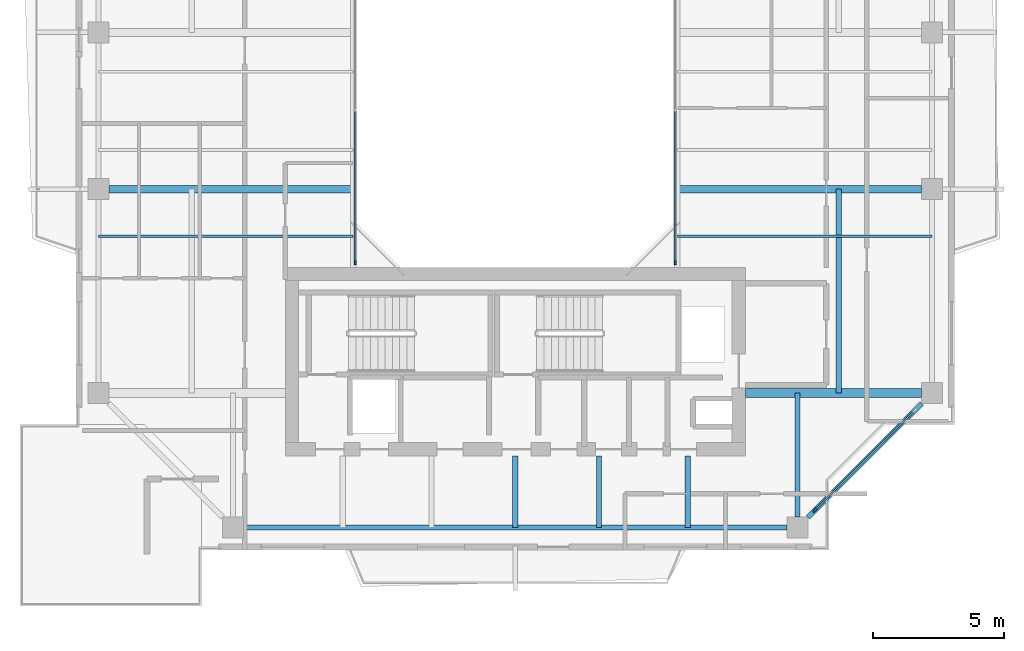
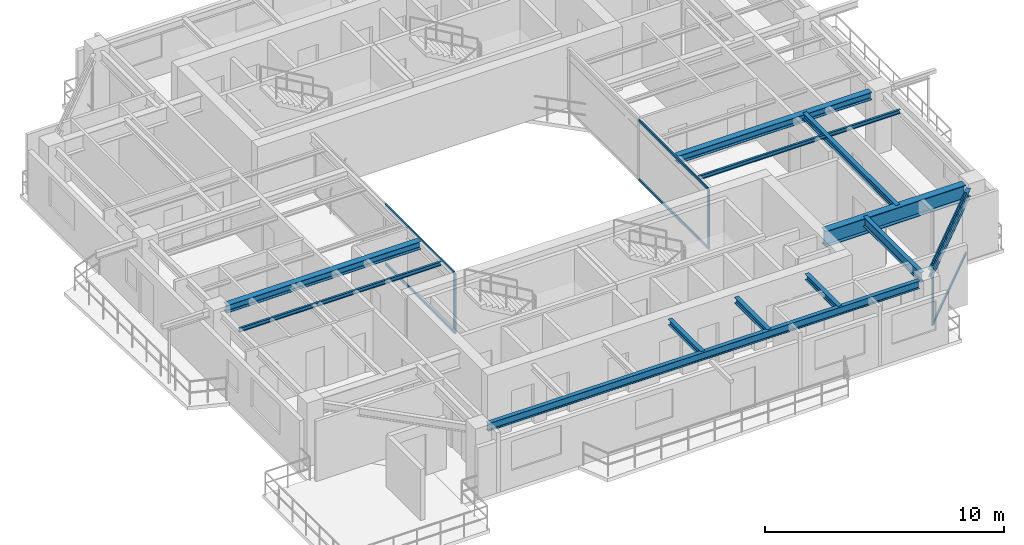
# One storey, part 3 of 15: 12 beams, 9 members, 3 elements without a shape of their own.
"""IFC4 building model written with IfcOpenShell, lengths in metres."""

from ifc_helpers import new_model, si_unit, direction, frame, origin, origin_2d, place, context, subcontext, project, spatial, rectangle, i_section, extrude, source, transform, mapped, material, layer, layer_set, material_profile, profile_set, type_object, element, aggregate, save


model = new_model("IFC4")

# Units and contexts
model_context = context("Model", 3, precision=1e-05, world=origin(), true_north=direction((0.0, 1.0)))
body_context = subcontext(model_context, "Body", "Model", "MODEL_VIEW")
ifc_project = project(units=[si_unit("LENGTHUNIT", "METRE"), si_unit("AREAUNIT", "SQUARE_METRE"), si_unit("VOLUMEUNIT", "CUBIC_METRE"), si_unit("PLANEANGLEUNIT", "RADIAN"), si_unit("MASSUNIT", "GRAM", prefix="KILO"), si_unit("THERMODYNAMICTEMPERATUREUNIT", "KELVIN"), si_unit("POWERUNIT", "WATT")], contexts=[model_context])

# Site, building, storey
site_placement = place(None, origin())
site = spatial("IfcSite", under=ifc_project, at=site_placement, CompositionType="ELEMENT")
building_placement = place(site_placement, origin())
building = spatial("IfcBuilding", under=site, at=building_placement, Name="Qiaomeng Ring Towers", CompositionType="ELEMENT")
storey_placement = place(building_placement, frame((0.0, 0.0, 193.75)))
storey = spatial("IfcBuildingStorey", under=building, at=storey_placement, Name="L56", CompositionType="ELEMENT", Elevation=193.75)

# Beams
ifc_material_1 = material(Name="Steel Q355B", Category="steel")
ifc_material_profile_1 = material_profile(ifc_material_1, i_section(OverallWidth=0.198974609375, OverallDepth=0.39599609375, WebThickness=0.007080078125, FlangeThickness=0.010986328125, FilletRadius=0.01611328125, at=origin_2d()), Name="HN 396x199x7x11")
ifc_profile_set_1 = profile_set([ifc_material_profile_1], Name="Steel Q355B")
beam_type_1 = type_object("IfcBeamType", Name="STR-BM-HN396", PredefinedType="SPANDREL", material=ifc_profile_set_1)
shared_shape_1 = source(origin(), body_context, "Body", "SweptSolid", [
    extrude(i_section(OverallWidth=0.198974609375, OverallDepth=0.39599609375, WebThickness=0.007080078125, FlangeThickness=0.010986328125, FilletRadius=0.01611328125, at=origin_2d()), origin(), (0.0, 0.0, 1.0), 20.8017578125),
])
beam_1_placement = place(storey_placement, frame((8.59912109375, 7.050048828125, 2.8720703125), z_axis=(1.0, 0.0, 0.0), x_axis=(0.0, 1.0, 0.0)))
element("IfcBeam", 1, at=beam_1_placement, inside=storey, type_object=beam_type_1, Name="L56 beam STR-SP-L56-T1-S1-S2", PredefinedType="SPANDREL", context=body_context, shape_type="MappedRepresentation", body=[
    mapped(shared_shape_1, transform((0.0, 0.0, 0.0), x_axis=(1.0, 0.0, 0.0), y_axis=(0.0, 1.0, 0.0), z_axis=(0.0, 0.0, 1.0), scale=1.0)),
])
shared_shape_2 = source(origin(), body_context, "Body", "SweptSolid", [
    extrude(i_section(OverallWidth=0.198974609375, OverallDepth=0.39599609375, WebThickness=0.007080078125, FlangeThickness=0.010986328125, FilletRadius=0.01611328125, at=origin_2d()), origin(), (0.0, 0.0, 1.0), 6.154052734375),
])
beam_2_placement = place(storey_placement, frame((30.19921875, 7.44921875, 2.8720703125), z_axis=(0.707106781187, 0.707106781187, 0.0), x_axis=(-0.707106781187, 0.707106781187, 0.0)))
element("IfcBeam", 2, at=beam_2_placement, inside=storey, type_object=beam_type_1, Name="L56 beam STR-SP-L56-T1-S2-E1", PredefinedType="SPANDREL", context=body_context, shape_type="MappedRepresentation", body=[
    mapped(shared_shape_2, transform((0.0, 0.0, 0.0), x_axis=(1.0, 0.0, 0.0), y_axis=(0.0, 1.0, 0.0), z_axis=(0.0, 0.0, 1.0), scale=1.0)),
])
ifc_material_2 = material(Name="Steel Q390GJC", Category="steel")
ifc_material_profile_2 = material_profile(ifc_material_2, i_section(OverallWidth=0.35009765625, OverallDepth=0.800048828125, WebThickness=0.01611328125, FlangeThickness=0.028076171875, at=origin_2d()), Name="WH 800x350x16x28")
ifc_profile_set_2 = profile_set([ifc_material_profile_2], Name="Steel Q390GJC")
beam_type_2 = type_object("IfcBeamType", Name="STR-BM-WH800", PredefinedType="BEAM", material=ifc_profile_set_2)
shared_shape_3 = source(origin(), body_context, "Body", "SweptSolid", [
    extrude(i_section(OverallWidth=0.35009765625, OverallDepth=0.800048828125, WebThickness=0.01611328125, FlangeThickness=0.028076171875, at=origin_2d()), origin(), (0.0, 0.0, 1.0), 6.7509765625),
])
beam_3_placement = place(storey_placement, frame((27.800048828125, 12.199951171875, 2.669921875), z_axis=(1.0, 0.0, 0.0), x_axis=(0.0, 1.0, 0.0)))
element("IfcBeam", 3, at=beam_3_placement, inside=storey, type_object=beam_type_2, Name="L56 beam STR-BM-L56-T1-RAD-E1", PredefinedType="BEAM", context=body_context, shape_type="MappedRepresentation", body=[
    mapped(shared_shape_3, transform((0.0, 0.0, 0.0), x_axis=(1.0, 0.0, 0.0), y_axis=(0.0, 1.0, 0.0), z_axis=(0.0, 0.0, 1.0), scale=1.0)),
])
ifc_material_profile_3 = material_profile(ifc_material_1, i_section(OverallWidth=0.199951171875, OverallDepth=0.5, WebThickness=0.010009765625, FlangeThickness=0.01611328125, FilletRadius=0.02001953125, at=origin_2d()), Name="HN 500x200x10x16")
ifc_profile_set_3 = profile_set([ifc_material_profile_3], Name="Steel Q355B")
beam_type_3 = type_object("IfcBeamType", Name="STR-BM-HN500", PredefinedType="BEAM", material=ifc_profile_set_3)
shared_shape_4 = source(origin(), body_context, "Body", "SweptSolid", [
    extrude(i_section(OverallWidth=0.199951171875, OverallDepth=0.5, WebThickness=0.010009765625, FlangeThickness=0.01611328125, FilletRadius=0.02001953125, at=origin_2d()), origin(), (0.0, 0.0, 1.0), 4.7509765625),
])
beam_4_placement = place(storey_placement, frame((29.800048828125, 7.448974609375, 2.820068359375), z_axis=(0.0, 1.0, 0.0), x_axis=(-1.0, 0.0, 0.0)))
element("IfcBeam", 4, at=beam_4_placement, inside=storey, type_object=beam_type_3, Name="L56 beam STR-BM-L56-T1-RAD-S2", PredefinedType="BEAM", context=body_context, shape_type="MappedRepresentation", body=[
    mapped(shared_shape_4, transform((0.0, 0.0, 0.0), x_axis=(1.0, 0.0, 0.0), y_axis=(0.0, 1.0, 0.0), z_axis=(0.0, 0.0, 1.0), scale=1.0)),
])
ifc_material_profile_4 = material_profile(ifc_material_1, i_section(OverallWidth=0.300048828125, OverallDepth=0.389892578125, WebThickness=0.010009765625, FlangeThickness=0.01611328125, FilletRadius=0.02197265625, at=origin_2d()), Name="HM 390x300x10x16")
ifc_profile_set_4 = profile_set([ifc_material_profile_4], Name="Steel Q355B")
beam_type_4 = type_object("IfcBeamType", Name="STR-BM-HM390", PredefinedType="BEAM", material=ifc_profile_set_4)
shared_shape_5 = source(origin(), body_context, "Body", "SweptSolid", [
    extrude(i_section(OverallWidth=0.300048828125, OverallDepth=0.389892578125, WebThickness=0.010009765625, FlangeThickness=0.01611328125, FilletRadius=0.02197265625, at=origin_2d()), origin(), (0.0, 0.0, 1.0), 9.35107421875),
])
for number, where, z_axis, x_axis, name in (
    (5, (3.448974609375, 20.0, 2.875), (1.0, 0.0, 0.0), (0.0, 1.0, 0.0), "L56 beam STR-BM-L56-T1-RAD-W2"),
    (6, (25.199951171875, 20.0, 2.875), (1.0, 0.0, 0.0), (0.0, 1.0, 0.0), "L56 beam STR-BM-L56-T1-RAD-E2"),
):
    element("IfcBeam", number, at=place(storey_placement, frame(where, z_axis=z_axis, x_axis=x_axis)), inside=storey, type_object=beam_type_4, Name=name, PredefinedType="BEAM", context=body_context, shape_type="MappedRepresentation", body=[
        mapped(shared_shape_5, transform((0.0, 0.0, 0.0), x_axis=(1.0, 0.0, 0.0), y_axis=(0.0, 1.0, 0.0), z_axis=(0.0, 0.0, 1.0), scale=1.0)),
    ])
ifc_material_profile_5 = material_profile(ifc_material_1, i_section(OverallWidth=0.199951171875, OverallDepth=0.2939453125, WebThickness=0.008056640625, FlangeThickness=0.011962890625, FilletRadius=0.01806640625, at=origin_2d()), Name="HM 294x200x8x12")
ifc_profile_set_5 = profile_set([ifc_material_profile_5], Name="Steel Q355B")
beam_type_5 = type_object("IfcBeamType", Name="STR-BM-HM294", PredefinedType="JOIST", material=ifc_profile_set_5)
shared_shape_6 = source(origin(), body_context, "Body", "SweptSolid", [
    extrude(i_section(OverallWidth=0.199951171875, OverallDepth=0.2939453125, WebThickness=0.008056640625, FlangeThickness=0.011962890625, FilletRadius=0.01806640625, at=origin_2d()), origin(), (0.0, 0.0, 1.0), 2.75),
])
for number, where, z_axis, x_axis, name in (
    (7, (19.0, 7.050048828125, 2.923095703125), (0.0, 1.0, 0.0), (-1.0, 0.0, 0.0), "L56 beam STR-JST-L56-T1S-3"),
    (8, (22.199951171875, 7.050048828125, 2.923095703125), (0.0, 1.0, 0.0), (-1.0, 0.0, 0.0), "L56 beam STR-JST-L56-T1S-4"),
    (9, (25.60009765625, 7.050048828125, 2.923095703125), (0.0, 1.0, 0.0), (-1.0, 0.0, 0.0), "L56 beam STR-JST-L56-T1S-5"),
):
    element("IfcBeam", number, at=place(storey_placement, frame(where, z_axis=z_axis, x_axis=x_axis)), inside=storey, type_object=beam_type_5, Name=name, PredefinedType="JOIST", context=body_context, shape_type="MappedRepresentation", body=[
        mapped(shared_shape_6, transform((0.0, 0.0, 0.0), x_axis=(1.0, 0.0, 0.0), y_axis=(0.0, 1.0, 0.0), z_axis=(0.0, 0.0, 1.0), scale=1.0)),
    ])
ifc_material_profile_6 = material_profile(ifc_material_1, i_section(OverallWidth=0.10009765625, OverallDepth=0.199951171875, WebThickness=0.005615234375, FlangeThickness=0.008056640625, FilletRadius=0.010986328125, at=origin_2d()), Name="HN 200x100x5.5x8")
ifc_profile_set_6 = profile_set([ifc_material_profile_6], Name="Steel Q355B")
beam_type_6 = type_object("IfcBeamType", Name="STR-BM-HN200", PredefinedType="JOIST", material=ifc_profile_set_6)
shared_shape_7 = source(origin(), body_context, "Body", "SweptSolid", [
    extrude(i_section(OverallWidth=0.10009765625, OverallDepth=0.199951171875, WebThickness=0.005615234375, FlangeThickness=0.008056640625, FilletRadius=0.010986328125, at=origin_2d()), origin(), (0.0, 0.0, 1.0), 9.75),
])
for number, where, z_axis, x_axis, name in (
    (10, (3.050048828125, 18.199951171875, 2.969970703125), (1.0, 0.0, 0.0), (0.0, 1.0, 0.0), "L56 beam STR-JST-L56-T1W-1"),
    (11, (25.199951171875, 18.199951171875, 2.969970703125), (1.0, 0.0, 0.0), (0.0, 1.0, 0.0), "L56 beam STR-JST-L56-T1E-1"),
):
    element("IfcBeam", number, at=place(storey_placement, frame(where, z_axis=z_axis, x_axis=x_axis)), inside=storey, type_object=beam_type_6, Name=name, PredefinedType="JOIST", context=body_context, shape_type="MappedRepresentation", body=[
        mapped(shared_shape_7, transform((0.0, 0.0, 0.0), x_axis=(1.0, 0.0, 0.0), y_axis=(0.0, 1.0, 0.0), z_axis=(0.0, 0.0, 1.0), scale=1.0)),
    ])
shared_shape_8 = source(origin(), body_context, "Body", "SweptSolid", [
    extrude(i_section(OverallWidth=0.199951171875, OverallDepth=0.2939453125, WebThickness=0.008056640625, FlangeThickness=0.011962890625, FilletRadius=0.01806640625, at=origin_2d()), origin(), (0.0, 0.0, 1.0), 7.800048828125),
])
beam_5_placement = place(storey_placement, frame((31.375, 12.199951171875, 2.923095703125), z_axis=(0.0, 1.0, 0.0), x_axis=(-1.0, 0.0, 0.0)))
element("IfcBeam", 12, at=beam_5_placement, inside=storey, type_object=beam_type_5, Name="L56 beam STR-JST-L56-T1C-ES", PredefinedType="JOIST", context=body_context, shape_type="MappedRepresentation", body=[
    mapped(shared_shape_8, transform((0.0, 0.0, 0.0), x_axis=(1.0, 0.0, 0.0), y_axis=(0.0, 1.0, 0.0), z_axis=(0.0, 0.0, 1.0), scale=1.0)),
])

# Curtain wall, member
ifc_material_3 = material(Name="Fluorocarbon dark-grey aluminium", Category="aluminium")
ifc_layer_1 = layer(ifc_material_3, 0.139892578125, Name="Fluorocarbon dark-grey aluminium")
ifc_layer_set_1 = layer_set([ifc_layer_1], Name="Fluorocarbon dark-grey aluminium")
curtain_wall_type_1 = type_object("IfcCurtainWallType", Name="ARC-CW-4", PredefinedType="NOTDEFINED", material=ifc_layer_set_1)
curtain_wall_1_placement = place(storey_placement, origin())
curtain_wall_1 = element("IfcCurtainWall", 13, at=curtain_wall_1_placement, inside=storey, type_object=curtain_wall_type_1, Name="L56 Curtain Wall CW4", PredefinedType="NOTDEFINED")
ifc_material_profile_7 = material_profile(ifc_material_3, rectangle(XDim=0.06494140625, YDim=0.159912109375, at=origin_2d()), Name="ALU MULL 65x160")
ifc_profile_set_7 = profile_set([ifc_material_profile_7], Name="Fluorocarbon dark-grey aluminium")
member_type_1 = type_object("IfcMemberType", Name="ARC-CWM-140", PredefinedType="MULLION", material=ifc_profile_set_7)
shared_shape_9 = source(origin(), body_context, "Body", "SweptSolid", [
    extrude(rectangle(XDim=0.06494140625, YDim=0.159912109375, at=origin_2d()), origin(), (0.0, 0.0, 1.0), 3.070068359375),
])
member_1_placement = place(storey_placement, frame((12.8798828125, 17.1826171875, 0.0), z_axis=(0.0, 0.0, 1.0), x_axis=(-1.0, 0.0, 0.0)))
member_1 = element("IfcMember", 14, at=member_1_placement, type_object=member_type_1, Name="CW4 mullion 1", PredefinedType="MULLION", context=body_context, shape_type="MappedRepresentation", body=[
    mapped(shared_shape_9, transform((0.0, 0.0, 0.0), x_axis=(1.0, 0.0, 0.0), y_axis=(0.0, 1.0, 0.0), z_axis=(0.0, 0.0, 1.0), scale=1.0)),
])

curtain_wall_2_placement = place(storey_placement, origin())
curtain_wall_2 = element("IfcCurtainWall", 15, at=curtain_wall_2_placement, inside=storey, type_object=curtain_wall_type_1, Name="L56 Curtain Wall CW4", PredefinedType="NOTDEFINED")
member_2_placement = place(storey_placement, frame((25.1201171875, 17.1826171875, 0.0), z_axis=(0.0, 0.0, 1.0), x_axis=(-1.0, 0.0, 0.0)))
member_2 = element("IfcMember", 16, at=member_2_placement, type_object=member_type_1, Name="CW4 mullion 1", PredefinedType="MULLION", context=body_context, shape_type="MappedRepresentation", body=[
    mapped(shared_shape_9, transform((0.0, 0.0, 0.0), x_axis=(1.0, 0.0, 0.0), y_axis=(0.0, 1.0, 0.0), z_axis=(0.0, 0.0, 1.0), scale=1.0)),
])

# Member
ifc_material_profile_8 = material_profile(ifc_material_3, rectangle(XDim=0.06494140625, YDim=0.1298828125, at=origin_2d()), Name="ALU TRAN 65x130")
ifc_profile_set_8 = profile_set([ifc_material_profile_8], Name="Fluorocarbon dark-grey aluminium")
member_type_2 = type_object("IfcMemberType", Name="ARC-CWT-120", PredefinedType="USERDEFINED", material=ifc_profile_set_8)
shared_shape_10 = source(origin(), body_context, "Body", "SweptSolid", [
    extrude(rectangle(XDim=0.06494140625, YDim=0.1298828125, at=origin_2d()), origin(), (0.0, 0.0, 1.0), 5.75244140625),
])
member_3_placement = place(storey_placement, frame((12.8798828125, 17.215087890625, 0.032470703125), z_axis=(0.0, 1.0, 0.0), x_axis=(-1.0, 0.0, 0.0)))
member_3 = element("IfcMember", 17, at=member_3_placement, type_object=member_type_2, Name="CW4 transom 1.1", ObjectType="TRANSOM", PredefinedType="USERDEFINED", context=body_context, shape_type="MappedRepresentation", body=[
    mapped(shared_shape_10, transform((0.0, 0.0, 0.0), x_axis=(1.0, 0.0, 0.0), y_axis=(0.0, 1.0, 0.0), z_axis=(0.0, 0.0, 1.0), scale=1.0)),
])

member_4_placement = place(storey_placement, frame((12.8798828125, 17.215087890625, 3.03759765625), z_axis=(0.0, 1.0, 0.0), x_axis=(-1.0, 0.0, 0.0)))
member_4 = element("IfcMember", 18, at=member_4_placement, type_object=member_type_2, Name="CW4 transom 1.2", ObjectType="TRANSOM", PredefinedType="USERDEFINED", context=body_context, shape_type="MappedRepresentation", body=[
    mapped(shared_shape_10, transform((0.0, 0.0, 0.0), x_axis=(1.0, 0.0, 0.0), y_axis=(0.0, 1.0, 0.0), z_axis=(0.0, 0.0, 1.0), scale=1.0)),
])

aggregate(curtain_wall_1, [member_1, member_3, member_4])

member_5_placement = place(storey_placement, frame((25.1201171875, 17.215087890625, 0.032470703125), z_axis=(0.0, 1.0, 0.0), x_axis=(-1.0, 0.0, 0.0)))
member_5 = element("IfcMember", 19, at=member_5_placement, type_object=member_type_2, Name="CW4 transom 1.1", ObjectType="TRANSOM", PredefinedType="USERDEFINED", context=body_context, shape_type="MappedRepresentation", body=[
    mapped(shared_shape_10, transform((0.0, 0.0, 0.0), x_axis=(1.0, 0.0, 0.0), y_axis=(0.0, 1.0, 0.0), z_axis=(0.0, 0.0, 1.0), scale=1.0)),
])

member_6_placement = place(storey_placement, frame((25.1201171875, 17.215087890625, 3.03759765625), z_axis=(0.0, 1.0, 0.0), x_axis=(-1.0, 0.0, 0.0)))
member_6 = element("IfcMember", 20, at=member_6_placement, type_object=member_type_2, Name="CW4 transom 1.2", ObjectType="TRANSOM", PredefinedType="USERDEFINED", context=body_context, shape_type="MappedRepresentation", body=[
    mapped(shared_shape_10, transform((0.0, 0.0, 0.0), x_axis=(1.0, 0.0, 0.0), y_axis=(0.0, 1.0, 0.0), z_axis=(0.0, 0.0, 1.0), scale=1.0)),
])

aggregate(curtain_wall_2, [member_2, member_5, member_6])

# Curtain wall, members
ifc_layer_2 = layer(ifc_material_3, 0.14990234375, Name="Fluorocarbon dark-grey aluminium")
ifc_layer_set_2 = layer_set([ifc_layer_2], Name="Fluorocarbon dark-grey aluminium")
curtain_wall_type_2 = type_object("IfcCurtainWallType", Name="ARC-CW-3", PredefinedType="NOTDEFINED", material=ifc_layer_set_2)
curtain_wall_3_placement = place(storey_placement, origin())
curtain_wall_3 = element("IfcCurtainWall", 21, at=curtain_wall_3_placement, inside=storey, type_object=curtain_wall_type_2, Name="L56 Curtain Wall CW3", PredefinedType="NOTDEFINED")
ifc_material_profile_9 = material_profile(ifc_material_3, rectangle(XDim=0.070068359375, YDim=0.179931640625, at=origin_2d()), Name="ALU MULL 70x180")
ifc_profile_set_9 = profile_set([ifc_material_profile_9], Name="Fluorocarbon dark-grey aluminium")
member_type_3 = type_object("IfcMemberType", Name="ARC-CWM-160", PredefinedType="MULLION", material=ifc_profile_set_9)
shared_shape_11 = source(origin(), body_context, "Body", "SweptSolid", [
    extrude(rectangle(XDim=0.070068359375, YDim=0.179931640625, at=origin_2d()), origin(), (0.0, 0.0, 1.0), 3.070068359375),
])
member_7_placement = place(storey_placement, frame((30.46484375, 7.71484375, 0.0), z_axis=(0.0, 0.0, 1.0), x_axis=(-0.707106781187, 0.707106781187, 0.0)))
member_7 = element("IfcMember", 22, at=member_7_placement, type_object=member_type_3, Name="CW3 mullion 1", PredefinedType="MULLION", context=body_context, shape_type="MappedRepresentation", body=[
    mapped(shared_shape_11, transform((0.0, 0.0, 0.0), x_axis=(1.0, 0.0, 0.0), y_axis=(0.0, 1.0, 0.0), z_axis=(0.0, 0.0, 1.0), scale=1.0)),
])
shared_shape_12 = source(origin(), body_context, "Body", "SweptSolid", [
    extrude(rectangle(XDim=0.06494140625, YDim=0.1298828125, at=origin_2d()), origin(), (0.0, 0.0, 1.0), 5.3330078125),
])
member_8_placement = place(storey_placement, frame((30.489501953125, 7.739501953125, 0.032470703125), z_axis=(0.707106781187, 0.707106781187, 0.0), x_axis=(-0.707106781187, 0.707106781187, 0.0)))
member_8 = element("IfcMember", 23, at=member_8_placement, type_object=member_type_2, Name="CW3 transom 1.1", ObjectType="TRANSOM", PredefinedType="USERDEFINED", context=body_context, shape_type="MappedRepresentation", body=[
    mapped(shared_shape_12, transform((0.0, 0.0, 0.0), x_axis=(1.0, 0.0, 0.0), y_axis=(0.0, 1.0, 0.0), z_axis=(0.0, 0.0, 1.0), scale=1.0)),
])
member_9_placement = place(storey_placement, frame((30.489501953125, 7.739501953125, 3.03759765625), z_axis=(0.707106781187, 0.707106781187, 0.0), x_axis=(-0.707106781187, 0.707106781187, 0.0)))
member_9 = element("IfcMember", 24, at=member_9_placement, type_object=member_type_2, Name="CW3 transom 1.2", ObjectType="TRANSOM", PredefinedType="USERDEFINED", context=body_context, shape_type="MappedRepresentation", body=[
    mapped(shared_shape_12, transform((0.0, 0.0, 0.0), x_axis=(1.0, 0.0, 0.0), y_axis=(0.0, 1.0, 0.0), z_axis=(0.0, 0.0, 1.0), scale=1.0)),
])
aggregate(curtain_wall_3, [member_7, member_8, member_9])

save(model, "model.ifc")
